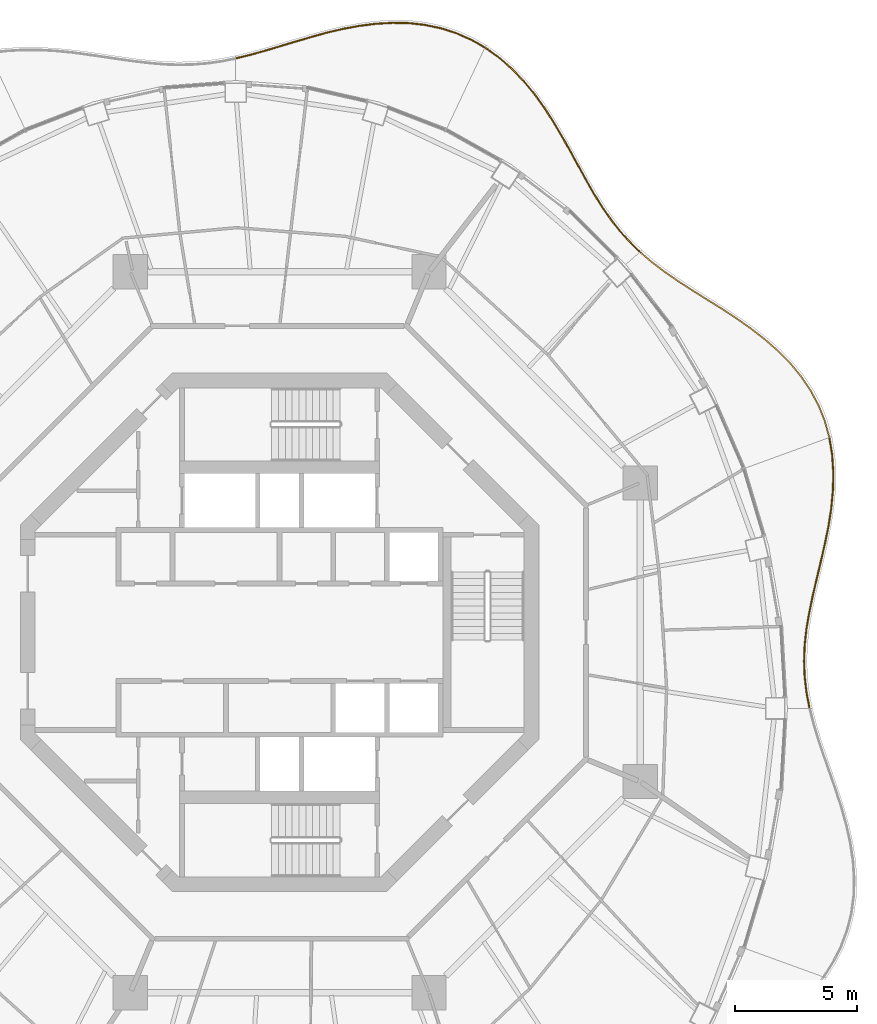
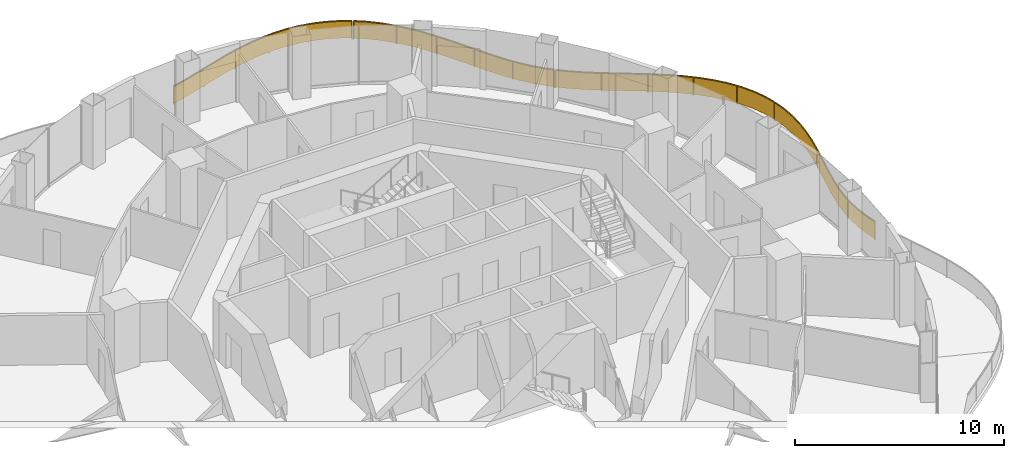
# One storey, part 17 of 17: 4 railings.
"""IFC4 building model written with IfcOpenShell, lengths in metres."""

from ifc_helpers import new_model, si_unit, direction, frame, origin, origin_2d, place, context, subcontext, project, spatial, polyline, rectangle, outline, extrude, material, type_object, element, save


model = new_model("IFC4")

# Units and contexts
model_context = context("Model", 3, precision=1e-05, world=origin(), true_north=direction((0.0, 1.0)))
body_context = subcontext(model_context, "Body", "Model", "MODEL_VIEW")
ifc_project = project(units=[si_unit("LENGTHUNIT", "METRE"), si_unit("AREAUNIT", "SQUARE_METRE"), si_unit("VOLUMEUNIT", "CUBIC_METRE"), si_unit("PLANEANGLEUNIT", "RADIAN"), si_unit("MASSUNIT", "GRAM", prefix="KILO")], contexts=[model_context])

# Site, building, storey
site_placement = place(None, origin())
site = spatial("IfcSite", under=ifc_project, at=site_placement, CompositionType="ELEMENT")
building_placement = place(site_placement, origin())
building = spatial("IfcBuilding", under=site, at=building_placement, Name="Nagisa Residences", CompositionType="ELEMENT")
storey_placement = place(building_placement, frame((0.0, 0.0, 265.89990234375)))
storey = spatial("IfcBuildingStorey", under=building, at=storey_placement, Name="L67", CompositionType="ELEMENT", Elevation=265.89990234375)

# Railings
ifc_material = material(Name="Stainless steel 316", Category="steel")
railing_type = type_object("IfcRailingType", Name="BALCONY GUARD 1100", PredefinedType="BALUSTRADE", material=ifc_material)
railing_1_placement = place(storey_placement, frame((21.71826171875, -3.0830078125, 0.0)))
element("IfcRailing", 1, at=railing_1_placement, inside=storey, type_object=railing_type, Name="guard:L67:bal00-0", PredefinedType="BALUSTRADE", context=body_context, shape_type="SweptSolid", body=[
    extrude(outline(polyline([(-0.140869140625, 0.60205078125), (-0.024658203125, -0.004638671875), (0.024658203125, 0.004638671875), (-0.091552734375, 0.60986328125), (-0.166748046875, 1.2529296875), (-0.19189453125, 1.897216796875), (-0.167724609375, 2.546630859375), (-0.096923828125, 3.20458984375), (0.014892578125, 3.860595703125), (0.156494140625, 4.544189453125), (0.318603515625, 5.242431640625), (0.489013671875, 5.955322265625), (0.654541015625, 6.68115234375), (0.804931640625, 7.404052734375), (0.920166015625, 8.14697265625), (0.9912109375, 8.8916015625), (1.007568359375, 9.632568359375), (0.95947265625, 10.364013671875), (0.84912109375, 11.032958984375), (0.7998046875, 11.024658203125), (0.90966796875, 10.358154296875), (0.957275390625, 9.631591796875), (0.94140625, 8.89453125), (0.870361328125, 8.1533203125), (0.755615234375, 7.412841796875), (0.605712890625, 6.69189453125), (0.440185546875, 5.966552734375), (0.269775390625, 5.254150390625), (0.107666015625, 4.554931640625), (-0.034423828125, 3.869873046875), (-0.146728515625, 3.21142578125), (-0.217529296875, 2.550048828125), (-0.2421875, 1.897216796875), (-0.216552734375, 1.2490234375), (-0.140869140625, 0.60205078125)])), frame((0.0, 0.0, 1.050048828125)), (0.0, 0.0, 1.0), 0.050048828125),
    extrude(outline(polyline([(-0.123046875, 0.60498046875), (-0.0068359375, -0.001220703125), (0.0068359375, 0.001220703125), (-0.109375, 0.60693359375), (-0.1845703125, 1.25146484375), (-0.2099609375, 1.897216796875), (-0.185546875, 2.5478515625), (-0.114990234375, 3.20703125), (-0.0029296875, 3.864013671875), (0.138916015625, 4.548095703125), (0.301025390625, 5.24658203125), (0.471435546875, 5.959228515625), (0.636962890625, 6.68505859375), (0.787109375, 7.4072265625), (0.902099609375, 8.149169921875), (0.973388671875, 8.892578125), (0.989501953125, 9.63232421875), (0.941650390625, 10.36181640625), (0.831298828125, 11.030029296875), (0.817626953125, 11.027587890625), (0.927490234375, 10.3603515625), (0.975341796875, 9.6318359375), (0.959228515625, 8.8935546875), (0.888427734375, 8.151123046875), (0.7734375, 7.40966796875), (0.623291015625, 6.68798828125), (0.457763671875, 5.962646484375), (0.287353515625, 5.25), (0.125244140625, 4.551025390625), (-0.0166015625, 3.866455078125), (-0.128662109375, 3.208984375), (-0.19970703125, 2.548828125), (-0.22412109375, 1.897216796875), (-0.19873046875, 1.25048828125), (-0.123046875, 0.60498046875)])), frame((0.0, 0.0, 0.06005859375)), (0.0, 0.0, 1.0), 0.989990234375),
    extrude(rectangle(XDim=0.0400390625, YDim=0.0400390625, at=origin_2d()), origin(), (0.0, 0.0, 1.0), 1.050048828125),
    extrude(rectangle(XDim=0.0400390625, YDim=0.0400390625, at=origin_2d()), frame((-0.205078125, 2.217529296875, 0.0)), (0.0, 0.0, 1.0), 1.050048828125),
    extrude(rectangle(XDim=0.0400390625, YDim=0.0400390625, at=origin_2d()), frame((0.1064453125, 4.426025390625, 0.0)), (0.0, 0.0, 1.0), 1.050048828125),
    extrude(rectangle(XDim=0.0400390625, YDim=0.0400390625, at=origin_2d()), frame((0.61083984375, 6.60205078125, 0.0)), (0.0, 0.0, 1.0), 1.050048828125),
    extrude(rectangle(XDim=0.0400390625, YDim=0.0400390625, at=origin_2d()), frame((0.9580078125, 8.80615234375, 0.0)), (0.0, 0.0, 1.0), 1.050048828125),
    extrude(rectangle(XDim=0.0400390625, YDim=0.0400390625, at=origin_2d()), frame((0.824462890625, 11.02880859375, 0.0)), (0.0, 0.0, 1.0), 1.050048828125),
])
railing_2_placement = place(storey_placement, frame((22.5263671875, 8.021484375, 0.0)))
element("IfcRailing", 2, at=railing_2_placement, inside=storey, type_object=railing_type, Name="guard:L67:bal01-0", PredefinedType="BALUSTRADE", context=body_context, shape_type="SweptSolid", body=[
    extrude(outline(polyline([(-0.196533203125, 0.617919921875), (-0.024169921875, -0.006591796875), (0.024169921875, 0.006591796875), (-0.149169921875, 0.634033203125), (-0.40673828125, 1.28076171875), (-0.734375, 1.897705078125), (-1.127685546875, 2.48193359375), (-1.5810546875, 3.031494140625), (-2.07958984375, 3.53271484375), (-2.626953125, 4.012939453125), (-3.2060546875, 4.4619140625), (-3.8056640625, 4.883544921875), (-4.4150390625, 5.282958984375), (-5.0146484375, 5.654541015625), (-5.611083984375, 6.029541015625), (-6.18798828125, 6.40380859375), (-6.738037109375, 6.78466796875), (-7.2568359375, 7.179443359375), (-7.7099609375, 7.567138671875), (-7.74267578125, 7.529052734375), (-7.2880859375, 7.140380859375), (-6.767333984375, 6.744140625), (-6.2158203125, 6.3623046875), (-5.637939453125, 5.987548828125), (-5.041015625, 5.612060546875), (-4.44189453125, 5.240966796875), (-3.833984375, 4.842041015625), (-3.23583984375, 4.421875), (-2.65869140625, 3.974365234375), (-2.11376953125, 3.49609375), (-1.6181640625, 2.997802734375), (-1.167724609375, 2.4521484375), (-0.77734375, 1.871826171875), (-0.4521484375, 1.259765625), (-0.196533203125, 0.617919921875)])), frame((0.0, 0.0, 1.050048828125)), (0.0, 0.0, 1.0), 0.050048828125),
    extrude(outline(polyline([(-0.179443359375, 0.623779296875), (-0.0068359375, -0.001953125), (0.0068359375, 0.001953125), (-0.166259765625, 0.628173828125), (-0.423095703125, 1.273193359375), (-0.749755859375, 1.888427734375), (-1.14208984375, 2.47119140625), (-1.594482421875, 3.019287109375), (-2.091796875, 3.51953125), (-2.638427734375, 3.9990234375), (-3.216796875, 4.447509765625), (-3.81591796875, 4.86865234375), (-4.4248046875, 5.267822265625), (-5.024169921875, 5.63916015625), (-5.620849609375, 6.014404296875), (-6.197998046875, 6.388916015625), (-6.74853515625, 6.77001953125), (-7.26806640625, 7.165283203125), (-7.7216796875, 7.553466796875), (-7.73095703125, 7.542724609375), (-7.27685546875, 7.154541015625), (-6.7568359375, 6.7587890625), (-6.205810546875, 6.377197265625), (-5.628173828125, 6.002685546875), (-5.031494140625, 5.62744140625), (-4.43212890625, 5.256103515625), (-3.82373046875, 4.85693359375), (-3.22509765625, 4.436279296875), (-2.647216796875, 3.98828125), (-2.1015625, 3.50927734375), (-1.604736328125, 3.010009765625), (-1.1533203125, 2.462890625), (-0.761962890625, 1.881103515625), (-0.435791015625, 1.267333984375), (-0.179443359375, 0.623779296875)])), frame((0.0, 0.0, 0.06005859375)), (0.0, 0.0, 1.0), 0.989990234375),
    extrude(rectangle(XDim=0.0400390625, YDim=0.0400390625, at=origin_2d()), origin(), (0.0, 0.0, 1.0), 1.050048828125),
    extrude(rectangle(XDim=0.0400390625, YDim=0.0400390625, at=origin_2d()), frame((-0.856201171875, 2.03369140625, 0.0)), (0.0, 0.0, 1.0), 1.050048828125),
    extrude(rectangle(XDim=0.0400390625, YDim=0.0400390625, at=origin_2d()), frame((-2.30810546875, 3.699951171875, 0.0)), (0.0, 0.0, 1.0), 1.050048828125),
    extrude(rectangle(XDim=0.0400390625, YDim=0.0400390625, at=origin_2d()), frame((-4.07861328125, 5.032470703125, 0.0)), (0.0, 0.0, 1.0), 1.050048828125),
    extrude(rectangle(XDim=0.0400390625, YDim=0.0400390625, at=origin_2d()), frame((-5.951904296875, 6.220947265625, 0.0)), (0.0, 0.0, 1.0), 1.050048828125),
    extrude(rectangle(XDim=0.0400390625, YDim=0.0400390625, at=origin_2d()), frame((-7.726318359375, 7.548095703125, 0.0)), (0.0, 0.0, 1.0), 1.050048828125),
])
railing_3_placement = place(storey_placement, frame((14.748046875, 15.615478515625, 0.0)))
element("IfcRailing", 3, at=railing_3_placement, inside=storey, type_object=railing_type, Name="guard:L67:bal02-0", PredefinedType="BALUSTRADE", context=body_context, shape_type="SweptSolid", body=[
    extrude(outline(polyline([(-0.41845703125, 0.373779296875), (-0.017578125, -0.017822265625), (0.017578125, 0.017822265625), (-0.38232421875, 0.408447265625), (-0.781982421875, 0.855224609375), (-1.15478515625, 1.331298828125), (-1.50537109375, 1.837158203125), (-1.839599609375, 2.3720703125), (-2.15185546875, 2.922607421875), (-2.473876953125, 3.505126953125), (-2.801025390625, 4.103515625), (-3.14111328125, 4.709228515625), (-3.5009765625, 5.314453125), (-3.873779296875, 5.901123046875), (-4.289794921875, 6.475341796875), (-4.74169921875, 7.020263671875), (-5.2314453125, 7.52587890625), (-5.75927734375, 7.983154296875), (-6.284912109375, 8.35693359375), (-6.313720703125, 8.31591796875), (-5.7900390625, 7.943603515625), (-5.265625, 7.4892578125), (-4.77880859375, 6.987060546875), (-4.329345703125, 6.444580078125), (-3.915283203125, 5.872802734375), (-3.54345703125, 5.2880859375), (-3.1845703125, 4.684326171875), (-2.844970703125, 4.0791015625), (-2.517822265625, 3.481201171875), (-2.1953125, 2.898193359375), (-1.882568359375, 2.3466796875), (-1.54736328125, 1.809814453125), (-1.1953125, 1.301513671875), (-0.820556640625, 0.822998046875), (-0.41845703125, 0.373779296875)])), frame((0.0, 0.0, 1.050048828125)), (0.0, 0.0, 1.0), 0.050048828125),
    extrude(outline(polyline([(-0.405517578125, 0.38623046875), (-0.0048828125, -0.005126953125), (0.0048828125, 0.005126953125), (-0.395263671875, 0.39599609375), (-0.7958984375, 0.843505859375), (-1.16943359375, 1.320556640625), (-1.5205078125, 1.827392578125), (-1.85498046875, 2.363037109375), (-2.16748046875, 2.913818359375), (-2.48974609375, 3.49658203125), (-2.81689453125, 4.0947265625), (-3.15673828125, 4.7001953125), (-3.516357421875, 5.304931640625), (-3.888671875, 5.890869140625), (-4.303955078125, 6.46435546875), (-4.755126953125, 7.00830078125), (-5.24365234375, 7.5126953125), (-5.770263671875, 7.968994140625), (-6.295166015625, 8.342041015625), (-6.303466796875, 8.330810546875), (-5.779052734375, 7.957763671875), (-5.25341796875, 7.50244140625), (-4.765380859375, 6.9990234375), (-4.315185546875, 6.45556640625), (-3.900390625, 5.883056640625), (-3.528076171875, 5.297607421875), (-3.1689453125, 4.693359375), (-2.8291015625, 4.087890625), (-2.501953125, 3.48974609375), (-2.1796875, 2.906982421875), (-1.8671875, 2.355712890625), (-1.5322265625, 1.819580078125), (-1.1806640625, 1.312255859375), (-0.806640625, 0.834716796875), (-0.405517578125, 0.38623046875)])), frame((0.0, 0.0, 0.06005859375)), (0.0, 0.0, 1.0), 0.989990234375),
    extrude(rectangle(XDim=0.0400390625, YDim=0.0400390625, at=origin_2d()), origin(), (0.0, 0.0, 1.0), 1.050048828125),
    extrude(rectangle(XDim=0.0400390625, YDim=0.0400390625, at=origin_2d()), frame((-1.36962890625, 1.59716796875, 0.0)), (0.0, 0.0, 1.0), 1.050048828125),
    extrude(rectangle(XDim=0.0400390625, YDim=0.0400390625, at=origin_2d()), frame((-2.448486328125, 3.40771484375, 0.0)), (0.0, 0.0, 1.0), 1.050048828125),
    extrude(rectangle(XDim=0.0400390625, YDim=0.0400390625, at=origin_2d()), frame((-3.4873046875, 5.24267578125, 0.0)), (0.0, 0.0, 1.0), 1.050048828125),
    extrude(rectangle(XDim=0.0400390625, YDim=0.0400390625, at=origin_2d()), frame((-4.71728515625, 6.951904296875, 0.0)), (0.0, 0.0, 1.0), 1.050048828125),
    extrude(rectangle(XDim=0.0400390625, YDim=0.0400390625, at=origin_2d()), frame((-6.29931640625, 8.33642578125, 0.0)), (0.0, 0.0, 1.0), 1.050048828125),
])
railing_4_placement = place(storey_placement, frame((8.383544921875, 23.99365234375, 0.0)))
element("IfcRailing", 4, at=railing_4_placement, inside=storey, type_object=railing_type, Name="guard:L67:bal03-0", PredefinedType="BALUSTRADE", context=body_context, shape_type="SweptSolid", body=[
    extrude(outline(polyline([(-0.54638671875, 0.28173828125), (-0.012451171875, -0.021728515625), (0.012451171875, 0.021728515625), (-0.52392578125, 0.32666015625), (-1.1328125, 0.592529296875), (-1.767333984375, 0.79443359375), (-2.4228515625, 0.932373046875), (-3.09326171875, 1.007080078125), (-3.7578125, 1.017822265625), (-4.44287109375, 0.97900390625), (-5.12744140625, 0.892578125), (-5.806396484375, 0.766845703125), (-6.4765625, 0.6103515625), (-7.11669921875, 0.430419921875), (-7.76025390625, 0.241455078125), (-8.389404296875, 0.05126953125), (-9.00439453125, -0.131103515625), (-9.6064453125, -0.297607421875), (-10.155029296875, -0.431884765625), (-10.143310546875, -0.480712890625), (-9.59375, -0.345947265625), (-8.99072265625, -0.179443359375), (-8.375244140625, 0.00341796875), (-7.74609375, 0.193603515625), (-7.10302734375, 0.382080078125), (-6.4638671875, 0.56201171875), (-5.796142578125, 0.718017578125), (-5.11962890625, 0.84326171875), (-4.4384765625, 0.92919921875), (-3.7568359375, 0.967529296875), (-3.0966796875, 0.957275390625), (-2.4306640625, 0.883056640625), (-1.780029296875, 0.74609375), (-1.150390625, 0.545654296875), (-0.54638671875, 0.28173828125)])), frame((0.0, 0.0, 1.050048828125)), (0.0, 0.0, 1.0), 0.050048828125),
    extrude(outline(polyline([(-0.538330078125, 0.2978515625), (-0.00341796875, -0.006103515625), (0.00341796875, 0.006103515625), (-0.531982421875, 0.310546875), (-1.13916015625, 0.57568359375), (-1.77197265625, 0.777099609375), (-2.425537109375, 0.91455078125), (-3.094482421875, 0.9892578125), (-3.757568359375, 0.999755859375), (-4.44140625, 0.961181640625), (-5.12451171875, 0.874755859375), (-5.802734375, 0.749267578125), (-6.471923828125, 0.593017578125), (-7.11181640625, 0.4130859375), (-7.755126953125, 0.22412109375), (-8.38427734375, 0.033935546875), (-8.99951171875, -0.1484375), (-9.601806640625, -0.31494140625), (-10.15087890625, -0.449462890625), (-10.1474609375, -0.463134765625), (-9.598388671875, -0.32861328125), (-8.99560546875, -0.162109375), (-8.38037109375, 0.020751953125), (-7.751220703125, 0.2109375), (-7.10791015625, 0.3994140625), (-6.468505859375, 0.579345703125), (-5.7998046875, 0.735595703125), (-5.12255859375, 0.861083984375), (-4.43994140625, 0.947021484375), (-3.757080078125, 0.985595703125), (-3.095458984375, 0.97509765625), (-2.427978515625, 0.90087890625), (-1.775390625, 0.763427734375), (-1.14404296875, 0.5625), (-0.538330078125, 0.2978515625)])), frame((0.0, 0.0, 0.06005859375)), (0.0, 0.0, 1.0), 0.989990234375),
    extrude(rectangle(XDim=0.0400390625, YDim=0.0400390625, at=origin_2d()), origin(), (0.0, 0.0, 1.0), 1.050048828125),
    extrude(rectangle(XDim=0.0400390625, YDim=0.0400390625, at=origin_2d()), frame((-1.932861328125, 0.8037109375, 0.0)), (0.0, 0.0, 1.0), 1.050048828125),
    extrude(rectangle(XDim=0.0400390625, YDim=0.0400390625, at=origin_2d()), frame((-4.0205078125, 0.977783203125, 0.0)), (0.0, 0.0, 1.0), 1.050048828125),
    extrude(rectangle(XDim=0.0400390625, YDim=0.0400390625, at=origin_2d()), frame((-6.09814453125, 0.673095703125, 0.0)), (0.0, 0.0, 1.0), 1.050048828125),
    extrude(rectangle(XDim=0.0400390625, YDim=0.0400390625, at=origin_2d()), frame((-8.122802734375, 0.105712890625, 0.0)), (0.0, 0.0, 1.0), 1.050048828125),
    extrude(rectangle(XDim=0.0400390625, YDim=0.0400390625, at=origin_2d()), frame((-10.149169921875, -0.456298828125, 0.0)), (0.0, 0.0, 1.0), 1.050048828125),
])

save(model, "model.ifc")
